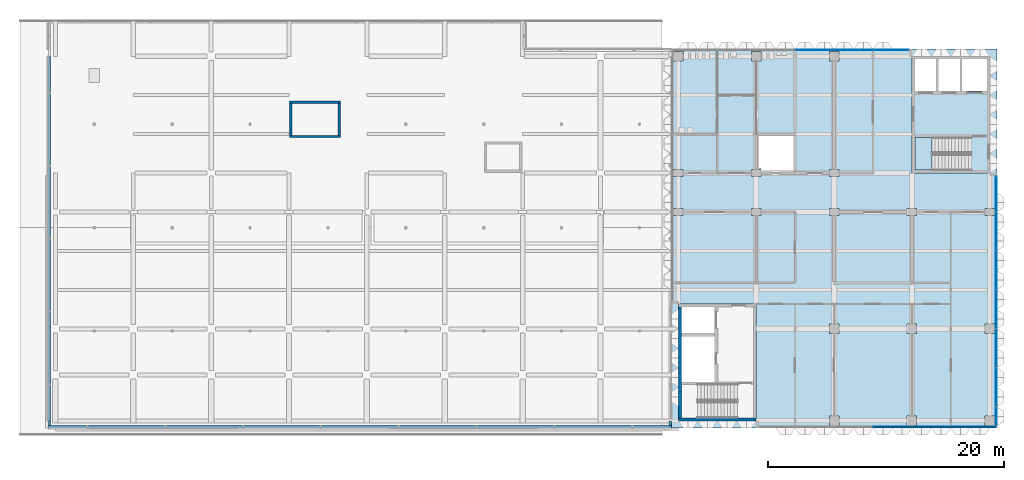
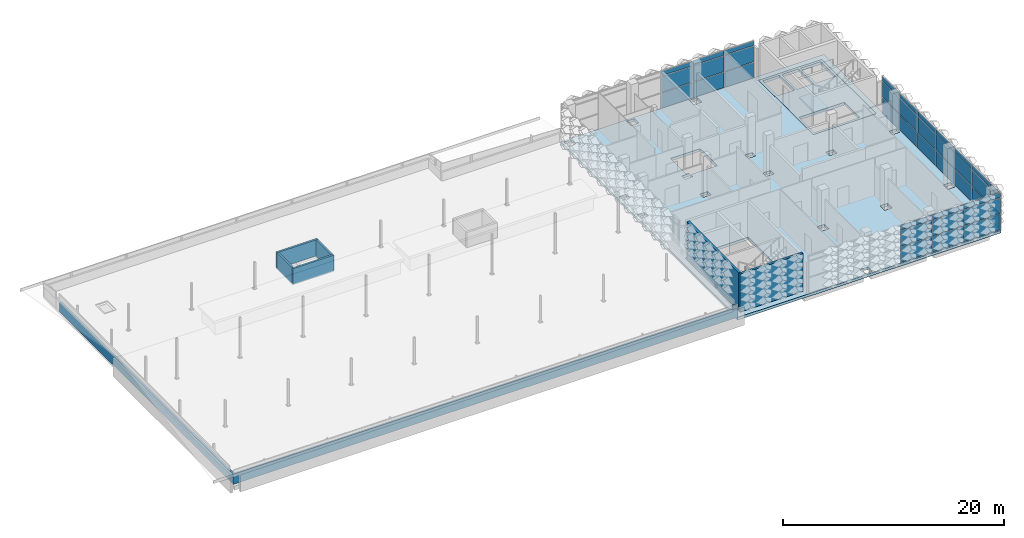
# One storey, part 10 of 39: 39 plates, 10 walls, 3 slabs, 4 elements without a shape of their own.
"""IFC4 building model written with IfcOpenShell, lengths in metres."""

from ifc_helpers import new_model, si_unit, direction, frame, frame_2d, origin, origin_2d, place, context, subcontext, project, spatial, polyline, rectangle, outline, extrude, material, layer, layer_set, type_object, element, aggregate, save


model = new_model("IFC4")

# Units and contexts
model_context = context("Model", 3, precision=1e-05, world=origin(), true_north=direction((0.0, 1.0)))
body_context = subcontext(model_context, "Body", "Model", "MODEL_VIEW")
ifc_project = project(units=[si_unit("LENGTHUNIT", "METRE"), si_unit("AREAUNIT", "SQUARE_METRE"), si_unit("VOLUMEUNIT", "CUBIC_METRE"), si_unit("PLANEANGLEUNIT", "RADIAN"), si_unit("MASSUNIT", "GRAM", prefix="KILO")], contexts=[model_context])

# Site, building, storey
site_placement = place(None, origin())
site = spatial("IfcSite", under=ifc_project, at=site_placement, CompositionType="ELEMENT")
building_placement = place(site_placement, origin())
building = spatial("IfcBuilding", under=site, at=building_placement, Name="Lantern Court Research Institute", CompositionType="ELEMENT")
storey_placement = place(building_placement, frame((0.0, 0.0, 27.89990234375)))
storey = spatial("IfcBuildingStorey", under=building, at=storey_placement, Name="L06", CompositionType="ELEMENT", Elevation=27.89990234375)

# Curtain wall, plates
ifc_material_1 = material(Name="Aluminium alloy 6063-T6", Category="aluminium")
curtain_wall_type_1 = type_object("IfcCurtainWallType", Name="Curtain wall 20200 x 4200 x 150 aluminium frame", PredefinedType="NOTDEFINED", material=ifc_material_1)
curtain_wall_1_placement = place(storey_placement, origin())
curtain_wall_1 = element("IfcCurtainWall", 1, at=curtain_wall_1_placement, inside=storey, type_object=curtain_wall_type_1, Name="Curtain wall CW079", PredefinedType="NOTDEFINED")
ifc_material_2 = material(Name="Insulated aluminium spandrel panel", Category="aluminium")
ifc_layer_1 = layer(ifc_material_2, 0.10009765625)
ifc_layer_set_1 = layer_set([ifc_layer_1], Name="Insulated aluminium spandrel panel")
plate_type_1 = type_object("IfcPlateType", Name="Insulated spandrel panel 100 mm for south sun", PredefinedType="CURTAIN_PANEL", material=ifc_layer_set_1)
plate_1_placement = place(storey_placement, frame((70.949951171875, -8.324951171875, 0.06005859375), z_axis=(0.0, 0.0, 1.0), x_axis=(-1.0, 0.0, 0.0)))
plate_1 = element("IfcPlate", 2, at=plate_1_placement, type_object=plate_type_1, Name="CW079 spandrel panel 4.1", PredefinedType="CURTAIN_PANEL", context=body_context, shape_type="SweptSolid", body=[
    extrude(rectangle(XDim=3.239990234375, YDim=0.10009765625, at=origin_2d()), origin(), (0.0, 0.0, 1.0), 1.7099609375),
])
plate_2_placement = place(storey_placement, frame((74.25, -8.324951171875, 0.06005859375), z_axis=(0.0, 0.0, 1.0), x_axis=(-1.0, 0.0, 0.0)))
plate_2 = element("IfcPlate", 3, at=plate_2_placement, type_object=plate_type_1, Name="CW079 spandrel panel 5.1", PredefinedType="CURTAIN_PANEL", context=body_context, shape_type="SweptSolid", body=[
    extrude(rectangle(XDim=3.239990234375, YDim=0.10009765625, at=origin_2d()), origin(), (0.0, 0.0, 1.0), 1.7099609375),
])
plate_3_placement = place(storey_placement, frame((77.8349609375, -8.324951171875, 0.06005859375), z_axis=(0.0, 0.0, 1.0), x_axis=(-1.0, 0.0, 0.0)))
plate_3 = element("IfcPlate", 4, at=plate_3_placement, type_object=plate_type_1, Name="CW079 spandrel panel 6.1", PredefinedType="CURTAIN_PANEL", context=body_context, shape_type="SweptSolid", body=[
    extrude(rectangle(XDim=3.81005859375, YDim=0.10009765625, at=origin_2d()), origin(), (0.0, 0.0, 1.0), 1.7099609375),
])

curtain_wall_2_placement = place(storey_placement, origin())
curtain_wall_2 = element("IfcCurtainWall", 5, at=curtain_wall_2_placement, inside=storey, type_object=curtain_wall_type_1, Name="Curtain wall CW078", PredefinedType="NOTDEFINED")
ifc_material_3 = material(Name="Insulated aluminium spandrel panel", Category="aluminium")
ifc_layer_2 = layer(ifc_material_3, 0.06005859375)
ifc_layer_set_2 = layer_set([ifc_layer_2], Name="Insulated aluminium spandrel panel")
plate_type_2 = type_object("IfcPlateType", Name="Insulated spandrel panel 60 mm", PredefinedType="CURTAIN_PANEL", material=ifc_layer_set_2)
plate_4_placement = place(storey_placement, frame((64.35009765625, 23.625, 0.06005859375), z_axis=(0.0, 0.0, 1.0), x_axis=(1.0, 0.0, 0.0)))
plate_4 = element("IfcPlate", 6, at=plate_4_placement, type_object=plate_type_2, Name="CW078 spandrel panel 4.1", PredefinedType="CURTAIN_PANEL", context=body_context, shape_type="SweptSolid", body=[
    extrude(rectangle(XDim=3.239990234375, YDim=0.06005859375, at=origin_2d()), origin(), (0.0, 0.0, 1.0), 1.7099609375),
])
plate_5_placement = place(storey_placement, frame((67.64990234375, 23.625, 0.06005859375), z_axis=(0.0, 0.0, 1.0), x_axis=(1.0, 0.0, 0.0)))
plate_5 = element("IfcPlate", 7, at=plate_5_placement, type_object=plate_type_2, Name="CW078 spandrel panel 5.1", PredefinedType="CURTAIN_PANEL", context=body_context, shape_type="SweptSolid", body=[
    extrude(rectangle(XDim=3.239990234375, YDim=0.06005859375, at=origin_2d()), origin(), (0.0, 0.0, 1.0), 1.7099609375),
])
plate_6_placement = place(storey_placement, frame((70.8349609375, 23.625, 0.06005859375), z_axis=(0.0, 0.0, 1.0), x_axis=(1.0, 0.0, 0.0)))
plate_6 = element("IfcPlate", 8, at=plate_6_placement, type_object=plate_type_2, Name="CW078 spandrel panel 6.1", PredefinedType="CURTAIN_PANEL", context=body_context, shape_type="SweptSolid", body=[
    extrude(rectangle(XDim=3.010009765625, YDim=0.06005859375, at=origin_2d()), origin(), (0.0, 0.0, 1.0), 1.7099609375),
])

ifc_material_4 = material(Name="Aluminium alloy 6063-T6", Category="aluminium")
curtain_wall_type_2 = type_object("IfcCurtainWallType", Name="Curtain wall 21250 x 4200 x 150 aluminium frame", PredefinedType="NOTDEFINED", material=ifc_material_4)
curtain_wall_3_placement = place(storey_placement, origin())
curtain_wall_3 = element("IfcCurtainWall", 9, at=curtain_wall_3_placement, inside=storey, type_object=curtain_wall_type_2, Name="Curtain wall CW077", PredefinedType="NOTDEFINED")
ifc_material_5 = material(Name="Insulated aluminium spandrel panel", Category="aluminium")
ifc_layer_3 = layer(ifc_material_5, 0.080078125)
ifc_layer_set_3 = layer_set([ifc_layer_3], Name="Insulated aluminium spandrel panel")
plate_type_3 = type_object("IfcPlateType", Name="Insulated spandrel panel 80 mm", PredefinedType="CURTAIN_PANEL", material=ifc_layer_set_3)
plate_7_placement = place(storey_placement, frame((79.72509765625, -7.409912109375, 0.06005859375), z_axis=(0.0, 0.0, 1.0), x_axis=(0.0, -1.0, 0.0)))
plate_7 = element("IfcPlate", 10, at=plate_7_placement, type_object=plate_type_3, Name="CW077 spandrel panel 1.1", PredefinedType="CURTAIN_PANEL", context=body_context, shape_type="SweptSolid", body=[
    extrude(rectangle(XDim=1.56005859375, YDim=0.080078125, at=origin_2d()), origin(), (0.0, 0.0, 1.0), 1.7099609375),
])
plate_8_placement = place(storey_placement, frame((79.72509765625, -4.949951171875, 0.06005859375), z_axis=(0.0, 0.0, 1.0), x_axis=(0.0, -1.0, 0.0)))
plate_8 = element("IfcPlate", 11, at=plate_8_placement, type_object=plate_type_3, Name="CW077 spandrel panel 2.1", PredefinedType="CURTAIN_PANEL", context=body_context, shape_type="SweptSolid", body=[
    extrude(rectangle(XDim=3.239990234375, YDim=0.080078125, at=origin_2d()), origin(), (0.0, 0.0, 1.0), 1.7099609375),
])
plate_9_placement = place(storey_placement, frame((79.72509765625, -1.64990234375, 0.06005859375), z_axis=(0.0, 0.0, 1.0), x_axis=(0.0, -1.0, 0.0)))
plate_9 = element("IfcPlate", 12, at=plate_9_placement, type_object=plate_type_3, Name="CW077 spandrel panel 3.1", PredefinedType="CURTAIN_PANEL", context=body_context, shape_type="SweptSolid", body=[
    extrude(rectangle(XDim=3.239990234375, YDim=0.080078125, at=origin_2d()), origin(), (0.0, 0.0, 1.0), 1.7099609375),
])
plate_10_placement = place(storey_placement, frame((79.72509765625, 1.64990234375, 0.06005859375), z_axis=(0.0, 0.0, 1.0), x_axis=(0.0, -1.0, 0.0)))
plate_10 = element("IfcPlate", 13, at=plate_10_placement, type_object=plate_type_3, Name="CW077 spandrel panel 4.1", PredefinedType="CURTAIN_PANEL", context=body_context, shape_type="SweptSolid", body=[
    extrude(rectangle(XDim=3.239990234375, YDim=0.080078125, at=origin_2d()), origin(), (0.0, 0.0, 1.0), 1.7099609375),
])
plate_11_placement = place(storey_placement, frame((79.72509765625, 4.949951171875, 0.06005859375), z_axis=(0.0, 0.0, 1.0), x_axis=(0.0, -1.0, 0.0)))
plate_11 = element("IfcPlate", 14, at=plate_11_placement, type_object=plate_type_3, Name="CW077 spandrel panel 5.1", PredefinedType="CURTAIN_PANEL", context=body_context, shape_type="SweptSolid", body=[
    extrude(rectangle(XDim=3.239990234375, YDim=0.080078125, at=origin_2d()), origin(), (0.0, 0.0, 1.0), 1.7099609375),
])
plate_12_placement = place(storey_placement, frame((79.72509765625, 8.25, 0.06005859375), z_axis=(0.0, 0.0, 1.0), x_axis=(0.0, -1.0, 0.0)))
plate_12 = element("IfcPlate", 15, at=plate_12_placement, type_object=plate_type_3, Name="CW077 spandrel panel 6.1", PredefinedType="CURTAIN_PANEL", context=body_context, shape_type="SweptSolid", body=[
    extrude(rectangle(XDim=3.239990234375, YDim=0.080078125, at=origin_2d()), origin(), (0.0, 0.0, 1.0), 1.7099609375),
])
plate_13_placement = place(storey_placement, frame((79.72509765625, 11.43505859375, 0.06005859375), z_axis=(0.0, 0.0, 1.0), x_axis=(0.0, -1.0, 0.0)))
plate_13 = element("IfcPlate", 16, at=plate_13_placement, type_object=plate_type_3, Name="CW077 spandrel panel 7.1", PredefinedType="CURTAIN_PANEL", context=body_context, shape_type="SweptSolid", body=[
    extrude(rectangle(XDim=3.010009765625, YDim=0.080078125, at=origin_2d()), origin(), (0.0, 0.0, 1.0), 1.7099609375),
])

# Plate
ifc_material_6 = material(Name="Laminated low-emissivity glass", Category="glass")
ifc_layer_4 = layer(ifc_material_6, 0.02392578125)
ifc_layer_set_4 = layer_set([ifc_layer_4], Name="Laminated low-emissivity glass")
plate_type_4 = type_object("IfcPlateType", Name="Lightweight laminated unit 24 mm", PredefinedType="CURTAIN_PANEL", material=ifc_layer_set_4)
plate_14_placement = place(storey_placement, frame((64.35009765625, 23.625, 1.830078125), z_axis=(0.0, 0.0, 1.0), x_axis=(1.0, 0.0, 0.0)))
plate_14 = element("IfcPlate", 17, at=plate_14_placement, type_object=plate_type_4, Name="CW078 glazed panel 4.2", PredefinedType="CURTAIN_PANEL", context=body_context, shape_type="SweptSolid", body=[
    extrude(rectangle(XDim=3.239990234375, YDim=0.02392578125, at=origin_2d()), origin(), (0.0, 0.0, 1.0), 1.739990234375),
])

plate_15_placement = place(storey_placement, frame((64.35009765625, 23.625, 3.6298828125), z_axis=(0.0, 0.0, 1.0), x_axis=(1.0, 0.0, 0.0)))
plate_15 = element("IfcPlate", 18, at=plate_15_placement, type_object=plate_type_4, Name="CW078 glazed panel 4.3", PredefinedType="CURTAIN_PANEL", context=body_context, shape_type="SweptSolid", body=[
    extrude(rectangle(XDim=3.239990234375, YDim=0.02392578125, at=origin_2d()), origin(), (0.0, 0.0, 1.0), 0.510009765625),
])

plate_16_placement = place(storey_placement, frame((67.64990234375, 23.625, 1.830078125), z_axis=(0.0, 0.0, 1.0), x_axis=(1.0, 0.0, 0.0)))
plate_16 = element("IfcPlate", 19, at=plate_16_placement, type_object=plate_type_4, Name="CW078 glazed panel 5.2", PredefinedType="CURTAIN_PANEL", context=body_context, shape_type="SweptSolid", body=[
    extrude(rectangle(XDim=3.239990234375, YDim=0.02392578125, at=origin_2d()), origin(), (0.0, 0.0, 1.0), 1.739990234375),
])

plate_17_placement = place(storey_placement, frame((67.64990234375, 23.625, 3.6298828125), z_axis=(0.0, 0.0, 1.0), x_axis=(1.0, 0.0, 0.0)))
plate_17 = element("IfcPlate", 20, at=plate_17_placement, type_object=plate_type_4, Name="CW078 glazed panel 5.3", PredefinedType="CURTAIN_PANEL", context=body_context, shape_type="SweptSolid", body=[
    extrude(rectangle(XDim=3.239990234375, YDim=0.02392578125, at=origin_2d()), origin(), (0.0, 0.0, 1.0), 0.510009765625),
])

plate_18_placement = place(storey_placement, frame((70.8349609375, 23.625, 1.830078125), z_axis=(0.0, 0.0, 1.0), x_axis=(1.0, 0.0, 0.0)))
plate_18 = element("IfcPlate", 21, at=plate_18_placement, type_object=plate_type_4, Name="CW078 glazed panel 6.2", PredefinedType="CURTAIN_PANEL", context=body_context, shape_type="SweptSolid", body=[
    extrude(rectangle(XDim=3.010009765625, YDim=0.02392578125, at=origin_2d()), origin(), (0.0, 0.0, 1.0), 1.739990234375),
])

plate_19_placement = place(storey_placement, frame((70.8349609375, 23.625, 3.6298828125), z_axis=(0.0, 0.0, 1.0), x_axis=(1.0, 0.0, 0.0)))
plate_19 = element("IfcPlate", 22, at=plate_19_placement, type_object=plate_type_4, Name="CW078 glazed panel 6.3", PredefinedType="CURTAIN_PANEL", context=body_context, shape_type="SweptSolid", body=[
    extrude(rectangle(XDim=3.010009765625, YDim=0.02392578125, at=origin_2d()), origin(), (0.0, 0.0, 1.0), 0.510009765625),
])

aggregate(curtain_wall_2, [plate_4, plate_14, plate_15, plate_5, plate_16, plate_17, plate_6, plate_18, plate_19])

# Slabs
ifc_material_7 = material(Name="Concrete C35/45", Category="concrete")
ifc_layer_5 = layer(ifc_material_7, 0.300048828125)
ifc_layer_set_5 = layer_set([ifc_layer_5], Name="Concrete C35/45")
slab_type_1 = type_object("IfcSlabType", Name="RC core floor slab 300", PredefinedType="FLOOR", material=ifc_layer_set_5)
slab_1_placement = place(storey_placement, frame((0.0, 0.0, -0.2998046875)))
element("IfcSlab", 23, at=slab_1_placement, inside=storey, type_object=slab_type_1, Name="Floor of core TC-E", PredefinedType="FLOOR", context=body_context, shape_type="SweptSolid", body=[
    extrude(outline(polyline([(72.60009765625, 13.199951171875), (79.199951171875, 13.199951171875), (79.199951171875, 23.10009765625), (72.60009765625, 23.10009765625), (72.60009765625, 13.199951171875)]), holes=[polyline([(77.60009765625, 16.199951171875), (72.85009765625, 16.199951171875), (72.85009765625, 13.449951171875), (77.60009765625, 13.449951171875), (77.60009765625, 16.199951171875)]), polyline([(72.85009765625, 20.14990234375), (74.64990234375, 20.14990234375), (74.64990234375, 22.85009765625), (72.85009765625, 22.85009765625), (72.85009765625, 20.14990234375)]), polyline([(74.85009765625, 20.14990234375), (76.64990234375, 20.14990234375), (76.64990234375, 22.85009765625), (74.85009765625, 22.85009765625), (74.85009765625, 20.14990234375)]), polyline([(76.85009765625, 20.14990234375), (78.949951171875, 20.14990234375), (78.949951171875, 22.85009765625), (76.85009765625, 22.85009765625), (76.85009765625, 20.14990234375)])]), origin(), (0.0, 0.0, 1.0), 0.2998046875),
])
ifc_material_8 = material(Name="Concrete C35/45", Category="concrete")
ifc_layer_6 = layer(ifc_material_8, 0.300048828125)
ifc_layer_set_6 = layer_set([ifc_layer_6], Name="Concrete C35/45")
slab_type_2 = type_object("IfcSlabType", Name="RC floor slab 300", PredefinedType="FLOOR", material=ifc_layer_set_6)
slab_2_placement = place(storey_placement, frame((0.0, 0.0, -0.2998046875)))
element("IfcSlab", 24, at=slab_2_placement, inside=storey, type_object=slab_type_2, Name="Floor slab L06 Dry Laboratory and Clean Room Tower", PredefinedType="FLOOR", context=body_context, shape_type="SweptSolid", body=[
    extrude(outline(polyline([(52.199951171875, 23.10009765625), (52.199951171875, -7.800048828125), (52.199951171875, -8.39990234375), (79.800048828125, -8.39990234375), (79.800048828125, -7.800048828125), (79.800048828125, 23.10009765625), (79.800048828125, 23.699951171875), (52.199951171875, 23.699951171875), (52.199951171875, 23.10009765625)]), holes=[polyline([(78.800048828125, 10.199951171875), (79.60009765625, 10.199951171875), (79.60009765625, 9.60009765625), (78.800048828125, 9.60009765625), (78.800048828125, 10.199951171875)]), polyline([(79.60009765625, 0.39990234375), (79.60009765625, -0.39990234375), (78.800048828125, -0.39990234375), (78.800048828125, 0.39990234375), (79.60009765625, 0.39990234375)]), polyline([(78.800048828125, -7.39990234375), (79.60009765625, -7.39990234375), (79.60009765625, -8.199951171875), (78.800048828125, -8.199951171875), (78.800048828125, -7.39990234375)]), polyline([(79.199951171875, 23.10009765625), (79.199951171875, 13.199951171875), (72.60009765625, 13.199951171875), (72.60009765625, 23.10009765625), (79.199951171875, 23.10009765625)]), polyline([(72.199951171875, 10.199951171875), (73.0, 10.199951171875), (73.0, 9.60009765625), (72.199951171875, 9.60009765625), (72.199951171875, 10.199951171875)]), polyline([(73.0, 0.39990234375), (73.0, -0.39990234375), (72.199951171875, -0.39990234375), (72.199951171875, 0.39990234375), (73.0, 0.39990234375)]), polyline([(72.199951171875, -7.39990234375), (73.0, -7.39990234375), (73.0, -8.199951171875), (72.199951171875, -8.199951171875), (72.199951171875, -7.39990234375)]), polyline([(65.60009765625, 10.199951171875), (66.39990234375, 10.199951171875), (66.39990234375, 9.60009765625), (65.60009765625, 9.60009765625), (65.60009765625, 10.199951171875)]), polyline([(66.39990234375, 23.5), (66.39990234375, 22.699951171875), (65.60009765625, 22.699951171875), (65.60009765625, 23.5), (66.39990234375, 23.5)]), polyline([(65.60009765625, 13.5), (66.39990234375, 13.5), (66.39990234375, 12.89990234375), (65.60009765625, 12.89990234375), (65.60009765625, 13.5)]), polyline([(65.60009765625, 0.39990234375), (66.39990234375, 0.39990234375), (66.39990234375, -0.39990234375), (65.60009765625, -0.39990234375), (65.60009765625, 0.39990234375)]), polyline([(65.60009765625, -7.39990234375), (66.39990234375, -7.39990234375), (66.39990234375, -8.199951171875), (65.60009765625, -8.199951171875), (65.60009765625, -7.39990234375)]), polyline([(59.0, 23.5), (59.800048828125, 23.5), (59.800048828125, 22.699951171875), (59.0, 22.699951171875), (59.0, 23.5)]), polyline([(59.800048828125, 13.300048828125), (59.800048828125, 12.89990234375), (59.0, 12.89990234375), (59.0, 13.5), (59.800048828125, 13.5), (59.800048828125, 13.60009765625), (59.5, 13.60009765625), (59.5, 16.39990234375), (62.60009765625, 16.39990234375), (62.60009765625, 13.300048828125), (59.800048828125, 13.300048828125)]), polyline([(59.0, 10.199951171875), (59.800048828125, 10.199951171875), (59.800048828125, 9.60009765625), (59.0, 9.60009765625), (59.0, 10.199951171875)]), polyline([(52.800048828125, 2.10009765625), (59.39990234375, 2.10009765625), (59.39990234375, -7.800048828125), (52.800048828125, -7.800048828125), (52.800048828125, 2.10009765625)]), polyline([(53.199951171875, 23.5), (53.199951171875, 22.699951171875), (52.39990234375, 22.699951171875), (52.39990234375, 23.5), (53.199951171875, 23.5)]), polyline([(52.39990234375, 13.5), (53.199951171875, 13.5), (53.199951171875, 12.89990234375), (52.39990234375, 12.89990234375), (52.39990234375, 13.5)]), polyline([(52.39990234375, 10.199951171875), (53.199951171875, 10.199951171875), (53.199951171875, 9.60009765625), (52.39990234375, 9.60009765625), (52.39990234375, 10.199951171875)])]), origin(), (0.0, 0.0, 1.0), 0.2998046875),
])

# Stair, slab
ifc_material_9 = material(Name="Concrete C40/50", Category="concrete")
stair_type = type_object("IfcStairType", Name="RC half-turn stair 1300 wide, 4500 rise, 6100 shaft", PredefinedType="HALF_TURN_STAIR", material=ifc_material_9)
stair_placement = place(storey_placement, origin())
stair = element("IfcStair", 25, at=stair_placement, inside=storey, type_object=stair_type, Name="L06 stair ST-T2", PredefinedType="HALF_TURN_STAIR")
ifc_material_10 = material(Name="Concrete C40/50", Category="concrete")
ifc_layer_7 = layer(ifc_material_10, 0.199951171875)
ifc_layer_set_7 = layer_set([ifc_layer_7], Name="Concrete C40/50")
slab_type_3 = type_object("IfcSlabType", Name="RC stair landing 200", PredefinedType="LANDING", material=ifc_layer_set_7)
slab_3_placement = place(storey_placement, frame((0.0, 0.0, 2.050048828125)))
slab_3 = element("IfcSlab", 26, at=slab_3_placement, type_object=slab_type_3, Name="ST-T2 landing 1", PredefinedType="LANDING", context=body_context, shape_type="SweptSolid", body=[
    extrude(outline(polyline([(74.2900390625, 16.199951171875), (72.85009765625, 16.199951171875), (72.85009765625, 13.449951171875), (74.2900390625, 13.449951171875), (74.2900390625, 16.199951171875)])), origin(), (0.0, 0.0, 1.0), 0.199951171875),
])
aggregate(stair, [slab_3])

# Plate
ifc_material_11 = material(Name="Laminated low-emissivity glass", Category="glass")
ifc_layer_8 = layer(ifc_material_11, 0.035888671875)
ifc_layer_set_8 = layer_set([ifc_layer_8], Name="Laminated low-emissivity glass")
plate_type_5 = type_object("IfcPlateType", Name="Solar control laminated unit 36 mm", PredefinedType="CURTAIN_PANEL", material=ifc_layer_set_8)
plate_20_placement = place(storey_placement, frame((79.72509765625, -7.409912109375, 1.830078125), z_axis=(0.0, 0.0, 1.0), x_axis=(0.0, -1.0, 0.0)))
plate_20 = element("IfcPlate", 27, at=plate_20_placement, type_object=plate_type_5, Name="CW077 glazed panel 1.2", PredefinedType="CURTAIN_PANEL", context=body_context, shape_type="SweptSolid", body=[
    extrude(rectangle(XDim=1.56005859375, YDim=0.035888671875, at=origin_2d()), origin(), (0.0, 0.0, 1.0), 1.739990234375),
])

plate_21_placement = place(storey_placement, frame((79.72509765625, -7.409912109375, 3.6298828125), z_axis=(0.0, 0.0, 1.0), x_axis=(0.0, -1.0, 0.0)))
plate_21 = element("IfcPlate", 28, at=plate_21_placement, type_object=plate_type_5, Name="CW077 glazed panel 1.3", PredefinedType="CURTAIN_PANEL", context=body_context, shape_type="SweptSolid", body=[
    extrude(rectangle(XDim=1.56005859375, YDim=0.035888671875, at=origin_2d()), origin(), (0.0, 0.0, 1.0), 0.510009765625),
])

plate_22_placement = place(storey_placement, frame((79.72509765625, -4.949951171875, 1.830078125), z_axis=(0.0, 0.0, 1.0), x_axis=(0.0, -1.0, 0.0)))
plate_22 = element("IfcPlate", 29, at=plate_22_placement, type_object=plate_type_5, Name="CW077 glazed panel 2.2", PredefinedType="CURTAIN_PANEL", context=body_context, shape_type="SweptSolid", body=[
    extrude(rectangle(XDim=3.239990234375, YDim=0.035888671875, at=origin_2d()), origin(), (0.0, 0.0, 1.0), 1.739990234375),
])

plate_23_placement = place(storey_placement, frame((79.72509765625, -4.949951171875, 3.6298828125), z_axis=(0.0, 0.0, 1.0), x_axis=(0.0, -1.0, 0.0)))
plate_23 = element("IfcPlate", 30, at=plate_23_placement, type_object=plate_type_5, Name="CW077 glazed panel 2.3", PredefinedType="CURTAIN_PANEL", context=body_context, shape_type="SweptSolid", body=[
    extrude(rectangle(XDim=3.239990234375, YDim=0.035888671875, at=origin_2d()), origin(), (0.0, 0.0, 1.0), 0.510009765625),
])

plate_24_placement = place(storey_placement, frame((79.72509765625, -1.64990234375, 1.830078125), z_axis=(0.0, 0.0, 1.0), x_axis=(0.0, -1.0, 0.0)))
plate_24 = element("IfcPlate", 31, at=plate_24_placement, type_object=plate_type_5, Name="CW077 glazed panel 3.2", PredefinedType="CURTAIN_PANEL", context=body_context, shape_type="SweptSolid", body=[
    extrude(rectangle(XDim=3.239990234375, YDim=0.035888671875, at=origin_2d()), origin(), (0.0, 0.0, 1.0), 1.739990234375),
])

plate_25_placement = place(storey_placement, frame((79.72509765625, -1.64990234375, 3.6298828125), z_axis=(0.0, 0.0, 1.0), x_axis=(0.0, -1.0, 0.0)))
plate_25 = element("IfcPlate", 32, at=plate_25_placement, type_object=plate_type_5, Name="CW077 glazed panel 3.3", PredefinedType="CURTAIN_PANEL", context=body_context, shape_type="SweptSolid", body=[
    extrude(rectangle(XDim=3.239990234375, YDim=0.035888671875, at=origin_2d()), origin(), (0.0, 0.0, 1.0), 0.510009765625),
])

plate_26_placement = place(storey_placement, frame((79.72509765625, 1.64990234375, 1.830078125), z_axis=(0.0, 0.0, 1.0), x_axis=(0.0, -1.0, 0.0)))
plate_26 = element("IfcPlate", 33, at=plate_26_placement, type_object=plate_type_5, Name="CW077 glazed panel 4.2", PredefinedType="CURTAIN_PANEL", context=body_context, shape_type="SweptSolid", body=[
    extrude(rectangle(XDim=3.239990234375, YDim=0.035888671875, at=origin_2d()), origin(), (0.0, 0.0, 1.0), 1.739990234375),
])

plate_27_placement = place(storey_placement, frame((79.72509765625, 1.64990234375, 3.6298828125), z_axis=(0.0, 0.0, 1.0), x_axis=(0.0, -1.0, 0.0)))
plate_27 = element("IfcPlate", 34, at=plate_27_placement, type_object=plate_type_5, Name="CW077 glazed panel 4.3", PredefinedType="CURTAIN_PANEL", context=body_context, shape_type="SweptSolid", body=[
    extrude(rectangle(XDim=3.239990234375, YDim=0.035888671875, at=origin_2d()), origin(), (0.0, 0.0, 1.0), 0.510009765625),
])

plate_28_placement = place(storey_placement, frame((79.72509765625, 4.949951171875, 1.830078125), z_axis=(0.0, 0.0, 1.0), x_axis=(0.0, -1.0, 0.0)))
plate_28 = element("IfcPlate", 35, at=plate_28_placement, type_object=plate_type_5, Name="CW077 glazed panel 5.2", PredefinedType="CURTAIN_PANEL", context=body_context, shape_type="SweptSolid", body=[
    extrude(rectangle(XDim=3.239990234375, YDim=0.035888671875, at=origin_2d()), origin(), (0.0, 0.0, 1.0), 1.739990234375),
])

plate_29_placement = place(storey_placement, frame((79.72509765625, 4.949951171875, 3.6298828125), z_axis=(0.0, 0.0, 1.0), x_axis=(0.0, -1.0, 0.0)))
plate_29 = element("IfcPlate", 36, at=plate_29_placement, type_object=plate_type_5, Name="CW077 glazed panel 5.3", PredefinedType="CURTAIN_PANEL", context=body_context, shape_type="SweptSolid", body=[
    extrude(rectangle(XDim=3.239990234375, YDim=0.035888671875, at=origin_2d()), origin(), (0.0, 0.0, 1.0), 0.510009765625),
])

plate_30_placement = place(storey_placement, frame((79.72509765625, 8.25, 1.830078125), z_axis=(0.0, 0.0, 1.0), x_axis=(0.0, -1.0, 0.0)))
plate_30 = element("IfcPlate", 37, at=plate_30_placement, type_object=plate_type_5, Name="CW077 glazed panel 6.2", PredefinedType="CURTAIN_PANEL", context=body_context, shape_type="SweptSolid", body=[
    extrude(rectangle(XDim=3.239990234375, YDim=0.035888671875, at=origin_2d()), origin(), (0.0, 0.0, 1.0), 1.739990234375),
])

plate_31_placement = place(storey_placement, frame((79.72509765625, 8.25, 3.6298828125), z_axis=(0.0, 0.0, 1.0), x_axis=(0.0, -1.0, 0.0)))
plate_31 = element("IfcPlate", 38, at=plate_31_placement, type_object=plate_type_5, Name="CW077 glazed panel 6.3", PredefinedType="CURTAIN_PANEL", context=body_context, shape_type="SweptSolid", body=[
    extrude(rectangle(XDim=3.239990234375, YDim=0.035888671875, at=origin_2d()), origin(), (0.0, 0.0, 1.0), 0.510009765625),
])

plate_32_placement = place(storey_placement, frame((79.72509765625, 11.43505859375, 1.830078125), z_axis=(0.0, 0.0, 1.0), x_axis=(0.0, -1.0, 0.0)))
plate_32 = element("IfcPlate", 39, at=plate_32_placement, type_object=plate_type_5, Name="CW077 glazed panel 7.2", PredefinedType="CURTAIN_PANEL", context=body_context, shape_type="SweptSolid", body=[
    extrude(rectangle(XDim=3.010009765625, YDim=0.035888671875, at=origin_2d()), origin(), (0.0, 0.0, 1.0), 1.739990234375),
])

plate_33_placement = place(storey_placement, frame((79.72509765625, 11.43505859375, 3.6298828125), z_axis=(0.0, 0.0, 1.0), x_axis=(0.0, -1.0, 0.0)))
plate_33 = element("IfcPlate", 40, at=plate_33_placement, type_object=plate_type_5, Name="CW077 glazed panel 7.3", PredefinedType="CURTAIN_PANEL", context=body_context, shape_type="SweptSolid", body=[
    extrude(rectangle(XDim=3.010009765625, YDim=0.035888671875, at=origin_2d()), origin(), (0.0, 0.0, 1.0), 0.510009765625),
])

aggregate(curtain_wall_3, [plate_7, plate_20, plate_21, plate_8, plate_22, plate_23, plate_9, plate_24, plate_25, plate_10, plate_26, plate_27, plate_11, plate_28, plate_29, plate_12, plate_30, plate_31, plate_13, plate_32, plate_33])

plate_34_placement = place(storey_placement, frame((70.949951171875, -8.324951171875, 1.830078125), z_axis=(0.0, 0.0, 1.0), x_axis=(-1.0, 0.0, 0.0)))
plate_34 = element("IfcPlate", 41, at=plate_34_placement, type_object=plate_type_5, Name="CW079 glazed panel 4.2", PredefinedType="CURTAIN_PANEL", context=body_context, shape_type="SweptSolid", body=[
    extrude(rectangle(XDim=3.239990234375, YDim=0.035888671875, at=origin_2d()), origin(), (0.0, 0.0, 1.0), 1.739990234375),
])

plate_35_placement = place(storey_placement, frame((70.949951171875, -8.324951171875, 3.6298828125), z_axis=(0.0, 0.0, 1.0), x_axis=(-1.0, 0.0, 0.0)))
plate_35 = element("IfcPlate", 42, at=plate_35_placement, type_object=plate_type_5, Name="CW079 glazed panel 4.3", PredefinedType="CURTAIN_PANEL", context=body_context, shape_type="SweptSolid", body=[
    extrude(rectangle(XDim=3.239990234375, YDim=0.035888671875, at=origin_2d()), origin(), (0.0, 0.0, 1.0), 0.510009765625),
])

plate_36_placement = place(storey_placement, frame((74.25, -8.324951171875, 1.830078125), z_axis=(0.0, 0.0, 1.0), x_axis=(-1.0, 0.0, 0.0)))
plate_36 = element("IfcPlate", 43, at=plate_36_placement, type_object=plate_type_5, Name="CW079 glazed panel 5.2", PredefinedType="CURTAIN_PANEL", context=body_context, shape_type="SweptSolid", body=[
    extrude(rectangle(XDim=3.239990234375, YDim=0.035888671875, at=origin_2d()), origin(), (0.0, 0.0, 1.0), 1.739990234375),
])

plate_37_placement = place(storey_placement, frame((74.25, -8.324951171875, 3.6298828125), z_axis=(0.0, 0.0, 1.0), x_axis=(-1.0, 0.0, 0.0)))
plate_37 = element("IfcPlate", 44, at=plate_37_placement, type_object=plate_type_5, Name="CW079 glazed panel 5.3", PredefinedType="CURTAIN_PANEL", context=body_context, shape_type="SweptSolid", body=[
    extrude(rectangle(XDim=3.239990234375, YDim=0.035888671875, at=origin_2d()), origin(), (0.0, 0.0, 1.0), 0.510009765625),
])

plate_38_placement = place(storey_placement, frame((77.8349609375, -8.324951171875, 1.830078125), z_axis=(0.0, 0.0, 1.0), x_axis=(-1.0, 0.0, 0.0)))
plate_38 = element("IfcPlate", 45, at=plate_38_placement, type_object=plate_type_5, Name="CW079 glazed panel 6.2", PredefinedType="CURTAIN_PANEL", context=body_context, shape_type="SweptSolid", body=[
    extrude(rectangle(XDim=3.81005859375, YDim=0.035888671875, at=origin_2d()), origin(), (0.0, 0.0, 1.0), 1.739990234375),
])

plate_39_placement = place(storey_placement, frame((77.8349609375, -8.324951171875, 3.6298828125), z_axis=(0.0, 0.0, 1.0), x_axis=(-1.0, 0.0, 0.0)))
plate_39 = element("IfcPlate", 46, at=plate_39_placement, type_object=plate_type_5, Name="CW079 glazed panel 6.3", PredefinedType="CURTAIN_PANEL", context=body_context, shape_type="SweptSolid", body=[
    extrude(rectangle(XDim=3.81005859375, YDim=0.035888671875, at=origin_2d()), origin(), (0.0, 0.0, 1.0), 0.510009765625),
])

aggregate(curtain_wall_1, [plate_1, plate_34, plate_35, plate_2, plate_36, plate_37, plate_3, plate_38, plate_39])

# Walls
ifc_material_12 = material(Name="Concrete C30/37", Category="concrete")
ifc_layer_9 = layer(ifc_material_12, 0.199951171875)
ifc_layer_set_9 = layer_set([ifc_layer_9], Name="Concrete C30/37")
wall_type_1 = type_object("IfcWallType", Name="Parapet 200 concrete upstand", PredefinedType="PARAPET", material=ifc_layer_set_9)
wall_1_placement = place(storey_placement, frame((-0.5, 23.10009765625, 0.0), z_axis=(0.0, 0.0, 1.0), x_axis=(0.0, -1.0, 0.0)))
element("IfcWall", 47, at=wall_1_placement, inside=storey, type_object=wall_type_1, Name="Parapet L06 Wet Laboratory Wing 1", PredefinedType="PARAPET", context=body_context, shape_type="SweptSolid", body=[
    extrude(rectangle(XDim=30.900146484375, YDim=0.199951171875, at=frame_2d((15.4501953125, 0.0))), origin(), (0.0, 0.0, 1.0), 1.10009765625),
])
wall_2_placement = place(storey_placement, frame((-0.5, -7.800048828125, 0.0), z_axis=(0.0, 0.0, 1.0), x_axis=(0.0, -1.0, 0.0)))
element("IfcWall", 48, at=wall_2_placement, inside=storey, type_object=wall_type_1, Name="Parapet L06 Wet Laboratory Wing 2", PredefinedType="PARAPET", context=body_context, shape_type="SweptSolid", body=[
    extrude(rectangle(XDim=0.39990234375, YDim=0.199951171875, at=frame_2d((0.199951171875, 0.0))), origin(), (0.0, 0.0, 1.0), 1.10009765625),
])
wall_3_placement = place(storey_placement, frame((-0.60009765625, -8.300048828125, 0.0), z_axis=(0.0, 0.0, 1.0), x_axis=(1.0, 0.0, 0.0)))
element("IfcWall", 49, at=wall_3_placement, inside=storey, type_object=wall_type_1, Name="Parapet L06 Wet Laboratory Wing 3", PredefinedType="PARAPET", context=body_context, shape_type="SweptSolid", body=[
    extrude(rectangle(XDim=52.800048828125, YDim=0.199951171875, at=frame_2d((26.39990234375, 0.0))), origin(), (0.0, 0.0, 1.0), 1.10009765625),
])
wall_4_placement = place(storey_placement, frame((52.10009765625, -8.199951171875, 0.0), z_axis=(0.0, 0.0, 1.0), x_axis=(0.0, 1.0, 0.0)))
element("IfcWall", 50, at=wall_4_placement, inside=storey, type_object=wall_type_1, Name="Parapet L06 Wet Laboratory Wing 4", PredefinedType="PARAPET", context=body_context, shape_type="SweptSolid", body=[
    extrude(rectangle(XDim=0.39990234375, YDim=0.199951171875, at=frame_2d((0.199951171875, 0.0))), origin(), (0.0, 0.0, 1.0), 1.10009765625),
])
ifc_material_13 = material(Name="Concrete C40/50", Category="concrete")
ifc_layer_10 = layer(ifc_material_13, 0.25)
ifc_layer_set_10 = layer_set([ifc_layer_10], Name="Concrete C40/50")
wall_type_2 = type_object("IfcWallType", Name="RC core wall 250 facade", PredefinedType="SHEAR", material=ifc_layer_set_10)
wall_5_placement = place(storey_placement, frame((59.39990234375, -7.675048828125, 0.0), z_axis=(0.0, 0.0, 1.0), x_axis=(-1.0, 0.0, 0.0)))
element("IfcWall", 51, at=wall_5_placement, inside=storey, type_object=wall_type_2, Name="South wall of core TC-W", PredefinedType="SHEAR", context=body_context, shape_type="SweptSolid", body=[
    extrude(rectangle(XDim=6.599853515625, YDim=0.25, at=frame_2d((3.2998046875, 0.0))), origin(), (0.0, 0.0, 1.0), 4.2001953125),
])
wall_6_placement = place(storey_placement, frame((52.925048828125, 1.85009765625, 0.0), z_axis=(0.0, 0.0, 1.0), x_axis=(0.0, -1.0, 0.0)))
element("IfcWall", 52, at=wall_6_placement, inside=storey, type_object=wall_type_2, Name="West wall of core TC-W", PredefinedType="SHEAR", context=body_context, shape_type="SweptSolid", body=[
    extrude(rectangle(XDim=9.400146484375, YDim=0.25, at=frame_2d((4.7001953125, 0.0))), origin(), (0.0, 0.0, 1.0), 4.2001953125),
])
ifc_material_14 = material(Name="Concrete C40/50", Category="concrete")
ifc_layer_11 = layer(ifc_material_14, 0.199951171875)
ifc_layer_set_11 = layer_set([ifc_layer_11], Name="Concrete C40/50")
wall_type_3 = type_object("IfcWallType", Name="RC lift overrun wall 200", PredefinedType="SHEAR", material=ifc_layer_set_11)
for number, where, z_axis, x_axis, name in (
    (53, (19.85009765625, 16.300048828125, 0.0), (0.0, 0.0, 1.0), (1.0, 0.0, 0.0), "Lift overrun wall of core BC-M (south)"),
    (54, (19.85009765625, 19.199951171875, 0.0), (0.0, 0.0, 1.0), (1.0, 0.0, 0.0), "Lift overrun wall of core BC-M (north)"),
):
    element("IfcWall", number, at=place(storey_placement, frame(where, z_axis=z_axis, x_axis=x_axis)), inside=storey, type_object=wall_type_3, Name=name, PredefinedType="SHEAR", context=body_context, shape_type="SweptSolid", body=[
        extrude(rectangle(XDim=4.2998046875, YDim=0.199951171875, at=frame_2d((2.14990234375, 0.0))), origin(), (0.0, 0.0, 1.0), 1.800048828125),
    ])
for number, where, z_axis, x_axis, name in (
    (55, (19.949951171875, 16.39990234375, 0.0), (0.0, 0.0, 1.0), (0.0, 1.0, 0.0), "Lift overrun wall of core BC-M (west)"),
    (56, (24.050048828125, 16.39990234375, 0.0), (0.0, 0.0, 1.0), (0.0, 1.0, 0.0), "Lift overrun wall of core BC-M (east)"),
):
    element("IfcWall", number, at=place(storey_placement, frame(where, z_axis=z_axis, x_axis=x_axis)), inside=storey, type_object=wall_type_3, Name=name, PredefinedType="SHEAR", context=body_context, shape_type="SweptSolid", body=[
        extrude(rectangle(XDim=2.7001953125, YDim=0.199951171875, at=frame_2d((1.35009765625, 0.0))), origin(), (0.0, 0.0, 1.0), 1.800048828125),
    ])

save(model, "model.ifc")
